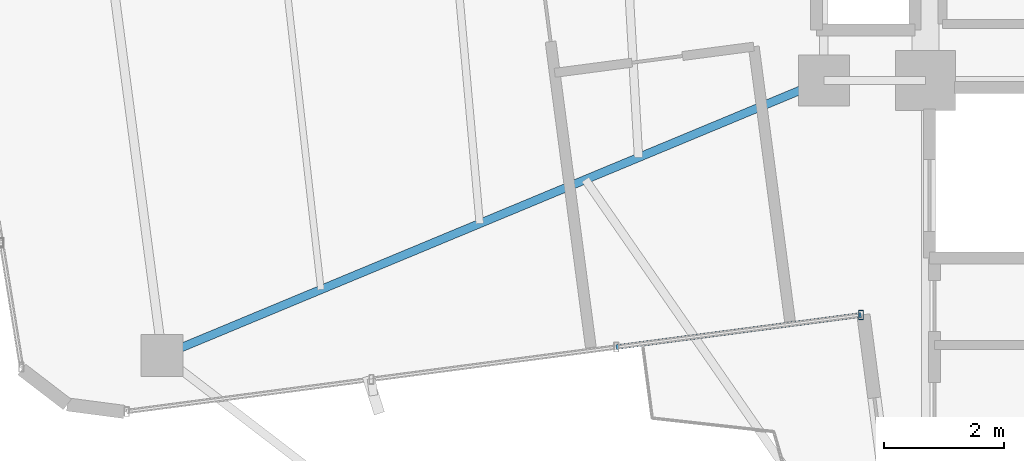
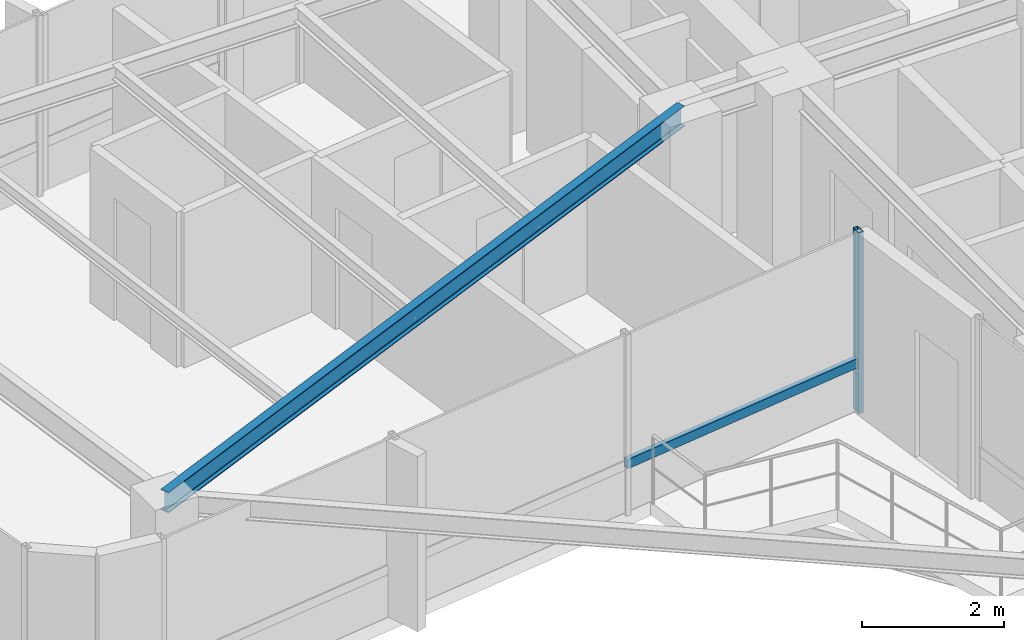
# One storey, part 3 of 22: 2 members, 1 beam, 1 element without a shape of its own.
"""IFC4 building model written with IfcOpenShell, lengths in metres."""

from ifc_helpers import new_model, si_unit, direction, frame, origin, origin_2d, place, context, subcontext, project, spatial, hollow_rectangle, i_section, extrude, source, transform, mapped, material, material_profile, profile_set, type_object, element, aggregate, save


model = new_model("IFC4")

# Units and contexts
model_context = context("Model", 3, precision=1e-05, world=origin(), true_north=direction((0.0, 1.0)))
body_context = subcontext(model_context, "Body", "Model", "MODEL_VIEW")
ifc_project = project(units=[si_unit("LENGTHUNIT", "METRE"), si_unit("AREAUNIT", "SQUARE_METRE"), si_unit("VOLUMEUNIT", "CUBIC_METRE"), si_unit("PLANEANGLEUNIT", "RADIAN"), si_unit("MASSUNIT", "GRAM", prefix="KILO")], contexts=[model_context])

# Site, building, storey
site_placement = place(None, origin())
site = spatial("IfcSite", under=ifc_project, at=site_placement, CompositionType="ELEMENT")
building_placement = place(site_placement, origin())
building = spatial("IfcBuilding", under=site, at=building_placement, Name="Sahyath Konkavel Grand Hotel", CompositionType="ELEMENT")
storey_placement = place(building_placement, frame((0.0, 0.0, 241.14990234375)))
storey = spatial("IfcBuildingStorey", under=building, at=storey_placement, Name="L67", CompositionType="ELEMENT", Elevation=241.14990234375)

# Beam
ifc_material_1 = material(Name="Steel E350", Category="steel")
ifc_material_profile_1 = material_profile(ifc_material_1, i_section(OverallWidth=0.139892578125, OverallDepth=0.35009765625, WebThickness=0.008056640625, FlangeThickness=0.01416015625, FilletRadius=0.013916015625, at=origin_2d()), Name="ISMB 350")
ifc_profile_set_1 = profile_set([ifc_material_profile_1], Name="Steel E350")
beam_type = type_object("IfcBeamType", Name="BM-ISMB350", PredefinedType="BEAM", material=ifc_profile_set_1)
shared_shape_1 = source(origin(), body_context, "Body", "SweptSolid", [
    extrude(i_section(OverallWidth=0.139892578125, OverallDepth=0.35009765625, WebThickness=0.008056640625, FlangeThickness=0.01416015625, FilletRadius=0.013916015625, at=origin_2d()), origin(), (0.0, 0.0, 1.0), 11.952392578125),
])
beam_placement = place(storey_placement, frame((-5.5, -2.39990234375, 2.93505859375), z_axis=(-0.923345018678, -0.383971322474, 0.0), x_axis=(0.383971322474, -0.923345018678, 0.0)))
element("IfcBeam", 1, at=beam_placement, inside=storey, type_object=beam_type, Name="L67 Cruciform Radial Girder WB", PredefinedType="BEAM", context=body_context, shape_type="MappedRepresentation", body=[
    mapped(shared_shape_1, transform((0.0, 0.0, 0.0), scale=1.0)),
])

# Curtain wall, members
ifc_material_2 = material(Name="Anodised Bronze Aluminium & Low-E Glazing", Category="aluminium")
curtain_wall_type = type_object("IfcCurtainWallType", Name="CW-ZONE4", PredefinedType="NOTDEFINED", material=ifc_material_2)
curtain_wall_placement = place(storey_placement, origin())
curtain_wall = element("IfcCurtainWall", 2, at=curtain_wall_placement, inside=storey, type_object=curtain_wall_type, Name="L67 Unitised Curtain Wall F23", PredefinedType="NOTDEFINED")
ifc_material_3 = material(Name="Anodised Bronze Aluminium", Category="aluminium")
ifc_material_profile_2 = material_profile(ifc_material_3, hollow_rectangle(XDim=0.080078125, YDim=0.159912109375, WallThickness=0.006103515625, at=origin_2d()), Name="RHS 160x80x6")
ifc_profile_set_2 = profile_set([ifc_material_profile_2], Name="Anodised Bronze Aluminium")
member_type_1 = type_object("IfcMemberType", Name="CW-MUL-160", PredefinedType="MULLION", material=ifc_profile_set_2)
shared_shape_2 = source(origin(), body_context, "Body", "SweptSolid", [
    extrude(hollow_rectangle(XDim=0.080078125, YDim=0.159912109375, WallThickness=0.006103515625, at=origin_2d()), origin(), (0.0, 0.0, 1.0), 3.110107421875),
])
member_1_placement = place(storey_placement, frame((-4.87890625, -6.311767578125, 0.0), z_axis=(0.0, 0.0, 1.0), x_axis=(1.0, 0.0, 0.0)))
member_1 = element("IfcMember", 3, at=member_1_placement, type_object=member_type_1, Name="L67 Curtain Wall Mullion F23-3", PredefinedType="MULLION", context=body_context, shape_type="MappedRepresentation", body=[
    mapped(shared_shape_2, transform((0.0, 0.0, 0.0), scale=1.0)),
])
ifc_material_profile_3 = material_profile(ifc_material_3, hollow_rectangle(XDim=0.080078125, YDim=0.159912109375, WallThickness=0.006103515625, at=origin_2d()), Name="RHS 160x80x6")
ifc_profile_set_3 = profile_set([ifc_material_profile_3], Name="Anodised Bronze Aluminium")
member_type_2 = type_object("IfcMemberType", Name="CW-TRN-160", PredefinedType="USERDEFINED", material=ifc_profile_set_3)
shared_shape_3 = source(origin(), body_context, "Body", "SweptSolid", [
    extrude(hollow_rectangle(XDim=0.080078125, YDim=0.159912109375, WallThickness=0.006103515625, at=origin_2d()), origin(), (0.0, 0.0, 1.0), 4.11865234375),
])
member_2_placement = place(storey_placement, frame((-8.96240234375, -6.849365234375, 0.85009765625), z_axis=(0.991445012294, 0.130525045861, 0.0), x_axis=(-0.130525045861, 0.991445012294, 0.0)))
member_2 = element("IfcMember", 4, at=member_2_placement, type_object=member_type_2, Name="L67 Curtain Wall Transom F23-2-spandrel", ObjectType="TRANSOM", PredefinedType="USERDEFINED", context=body_context, shape_type="MappedRepresentation", body=[
    mapped(shared_shape_3, transform((0.0, 0.0, 0.0), scale=1.0)),
])
aggregate(curtain_wall, [member_1, member_2])

save(model, "model.ifc")
